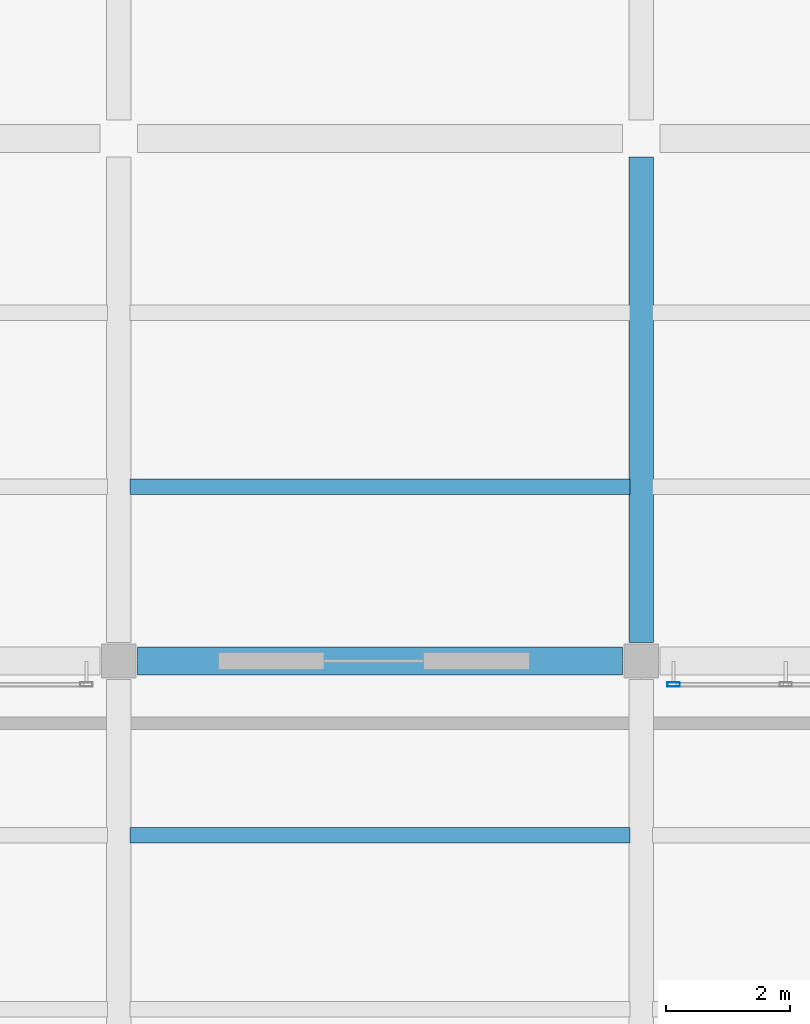
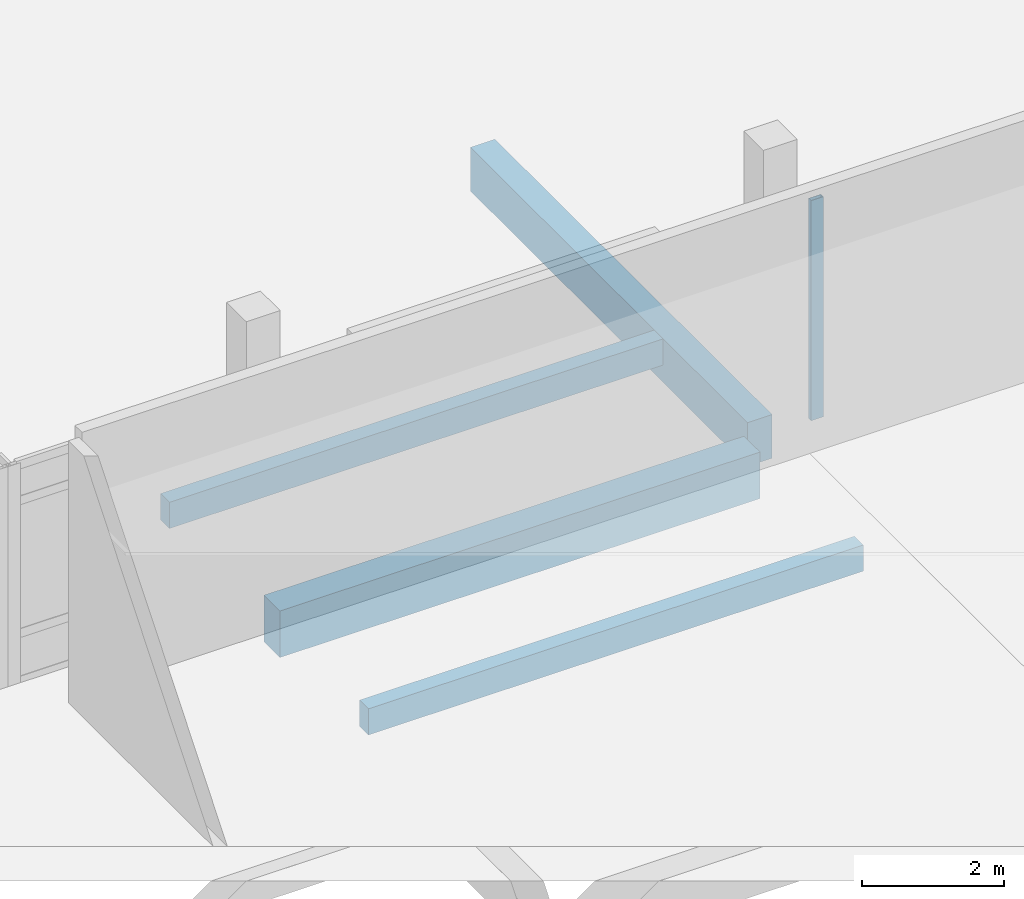
# One storey, part 25 of 63: 4 beams, 1 member, 1 element without a shape of its own.
"""IFC4 building model written with IfcOpenShell, lengths in metres."""

from ifc_helpers import new_model, si_unit, derived_unit, direction, frame, origin, origin_2d, place, context, subcontext, project, spatial, rectangle, hollow_rectangle, extrude, material, layer, layer_set, material_profile, profile_set, type_object, element, aggregate, save


model = new_model("IFC4")

# Units and contexts
model_context = context("Model", 3, precision=1e-05, world=origin(), true_north=direction((0.0, 1.0)))
body_context = subcontext(model_context, "Body", "Model", "MODEL_VIEW")
ifc_project = project(units=[si_unit("LENGTHUNIT", "METRE"), si_unit("AREAUNIT", "SQUARE_METRE"), si_unit("VOLUMEUNIT", "CUBIC_METRE"), si_unit("PLANEANGLEUNIT", "RADIAN"), si_unit("MASSUNIT", "GRAM", prefix="KILO"), derived_unit("THERMALTRANSMITTANCEUNIT", [(si_unit("POWERUNIT", "WATT"), 1), (si_unit("LENGTHUNIT", "METRE"), -2), (si_unit("THERMODYNAMICTEMPERATUREUNIT", "KELVIN"), -1)])], contexts=[model_context])

# Site, building, storey
site_placement = place(None, origin())
site = spatial("IfcSite", under=ifc_project, at=site_placement, CompositionType="ELEMENT")
building_placement = place(site_placement, origin())
building = spatial("IfcBuilding", under=site, at=building_placement, Name="Elbkamm Science Centre", CompositionType="ELEMENT")
storey_placement = place(building_placement, frame((0.0, 0.0, 5.10009765625)))
storey = spatial("IfcBuildingStorey", under=building, at=storey_placement, Name="L01", CompositionType="ELEMENT", Elevation=5.10009765625)

# Beams
ifc_material_1 = material(Name="Concrete C40/50", Category="concrete")
ifc_material_profile_1 = material_profile(ifc_material_1, rectangle(XDim=0.39990234375, YDim=0.75, at=origin_2d()), Name="RC 400x750")
ifc_profile_set_1 = profile_set([ifc_material_profile_1], Name="Concrete C40/50")
beam_type_1 = type_object("IfcBeamType", Name="BM-RC-400x750", PredefinedType="BEAM", material=ifc_profile_set_1)
beam_1_placement = place(storey_placement, frame((142.800048828125, 75.89990234375, -0.625), z_axis=(0.0, 1.0, 0.0), x_axis=(-1.0, 0.0, 0.0)))
element("IfcBeam", 1, at=beam_1_placement, inside=storey, type_object=beam_type_1, Name="L01 Primary Y-Girder 059", PredefinedType="BEAM", context=body_context, shape_type="SweptSolid", body=[
    extrude(rectangle(XDim=0.39990234375, YDim=0.75, at=origin_2d()), origin(), (0.0, 0.0, 1.0), 7.800048828125),
])
ifc_material_profile_2 = material_profile(ifc_material_1, rectangle(XDim=0.449951171875, YDim=0.800048828125, at=origin_2d()), Name="RC 450x800")
ifc_profile_set_2 = profile_set([ifc_material_profile_2], Name="Concrete C40/50")
beam_type_2 = type_object("IfcBeamType", Name="BM-RC-450x800", PredefinedType="BEAM", material=ifc_profile_set_2)
beam_2_placement = place(storey_placement, frame((134.699951171875, 75.60009765625, -0.800048828125), z_axis=(1.0, 0.0, 0.0), x_axis=(0.0, 1.0, 0.0)))
element("IfcBeam", 2, at=beam_2_placement, inside=storey, type_object=beam_type_2, Name="L01 Primary X-Girder 073", PredefinedType="BEAM", context=body_context, shape_type="SweptSolid", body=[
    extrude(rectangle(XDim=0.449951171875, YDim=0.800048828125, at=origin_2d()), origin(), (0.0, 0.0, 1.0), 7.800048828125),
])

# Curtain wall, member
ifc_material_2 = material(Name="Powder-coated aluminium and triple low-E glazing", Category="aluminium")
ifc_layer = layer(ifc_material_2, 0.159912109375)
ifc_layer_set = layer_set([ifc_layer], Name="Powder-coated aluminium and triple low-E glazing")
curtain_wall_type = type_object("IfcCurtainWallType", Name="CW-UNIT-3680x3780", PredefinedType="USERDEFINED", material=ifc_layer_set)
curtain_wall_placement = place(storey_placement, origin())
curtain_wall = element("IfcCurtainWall", 3, at=curtain_wall_placement, inside=storey, type_object=curtain_wall_type, Name="L01 Unitised Curtain Wall 161", ObjectType="UNITISED CURTAIN WALL", PredefinedType="USERDEFINED")
ifc_material_3 = material(Name="Powder-coated aluminium EN AW-6060", Category="aluminium")
ifc_material_profile_3 = material_profile(ifc_material_3, hollow_rectangle(XDim=0.070068359375, YDim=0.199951171875, WallThickness=0.00439453125, at=origin_2d()), Name="ALU M70x200")
ifc_profile_set_3 = profile_set([ifc_material_profile_3], Name="Powder-coated aluminium EN AW-6060")
member_type = type_object("IfcMemberType", Name="CW-MUL-70x200", PredefinedType="MULLION", material=ifc_profile_set_3)
member_placement = place(storey_placement, frame((143.3212890625, 75.219970703125, 0.0), z_axis=(0.0, 0.0, 1.0), x_axis=(0.0, 1.0, 0.0)))
member = element("IfcMember", 4, at=member_placement, type_object=member_type, Name="CW-075 mullion 1", PredefinedType="MULLION", context=body_context, shape_type="SweptSolid", body=[
    extrude(hollow_rectangle(XDim=0.070068359375, YDim=0.199951171875, WallThickness=0.00439453125, at=origin_2d()), origin(), (0.0, 0.0, 1.0), 3.77978515625),
])
aggregate(curtain_wall, [member])

# Beams
ifc_material_profile_4 = material_profile(ifc_material_1, rectangle(XDim=0.25, YDim=0.449951171875, at=origin_2d()), Name="RC 250x450")
ifc_profile_set_4 = profile_set([ifc_material_profile_4], Name="Concrete C40/50")
beam_type_3 = type_object("IfcBeamType", Name="JST-RC-250x450", PredefinedType="JOIST", material=ifc_profile_set_4)
for number, where, z_axis, x_axis, name in (
    (5, (134.580078125, 72.800048828125, -0.625), (1.0, 0.0, 0.0), (0.0, 1.0, 0.0), "L01 Secondary Floor Joist 072"),
    (6, (134.580078125, 78.39990234375, -0.47509765625), (1.0, 0.0, 0.0), (0.0, 1.0, 0.0), "L01 Secondary Floor Joist 073"),
):
    element("IfcBeam", number, at=place(storey_placement, frame(where, z_axis=z_axis, x_axis=x_axis)), inside=storey, type_object=beam_type_3, Name=name, PredefinedType="JOIST", context=body_context, shape_type="SweptSolid", body=[
        extrude(rectangle(XDim=0.25, YDim=0.449951171875, at=origin_2d()), origin(), (0.0, 0.0, 1.0), 8.0400390625),
    ])

save(model, "model.ifc")
